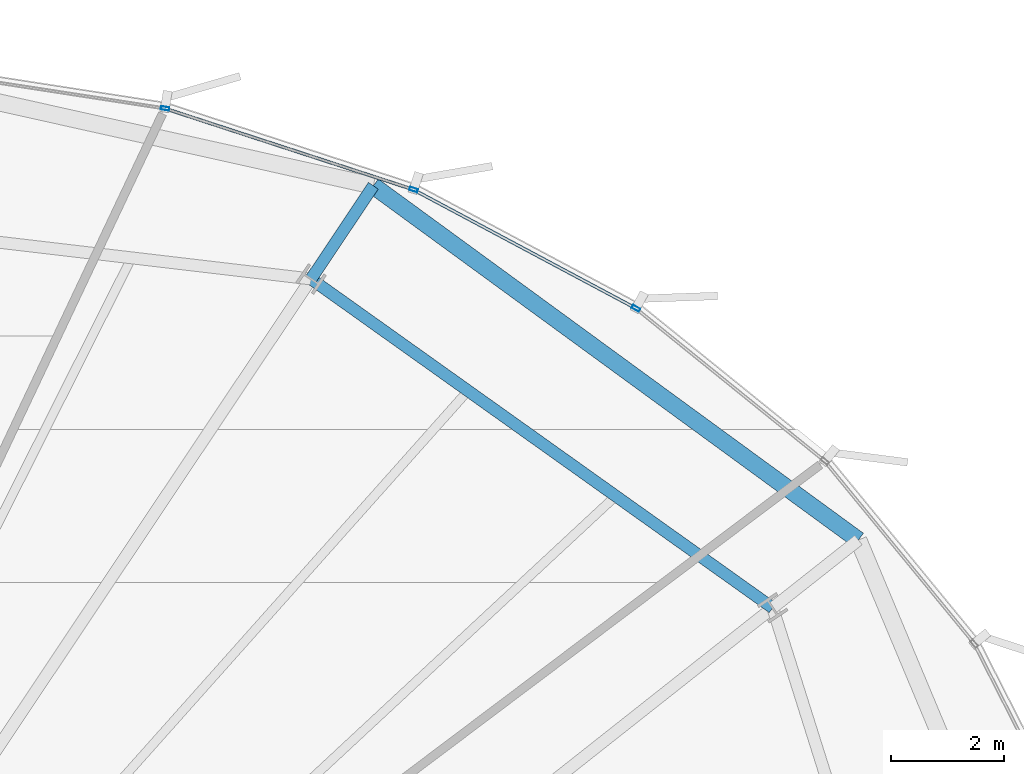
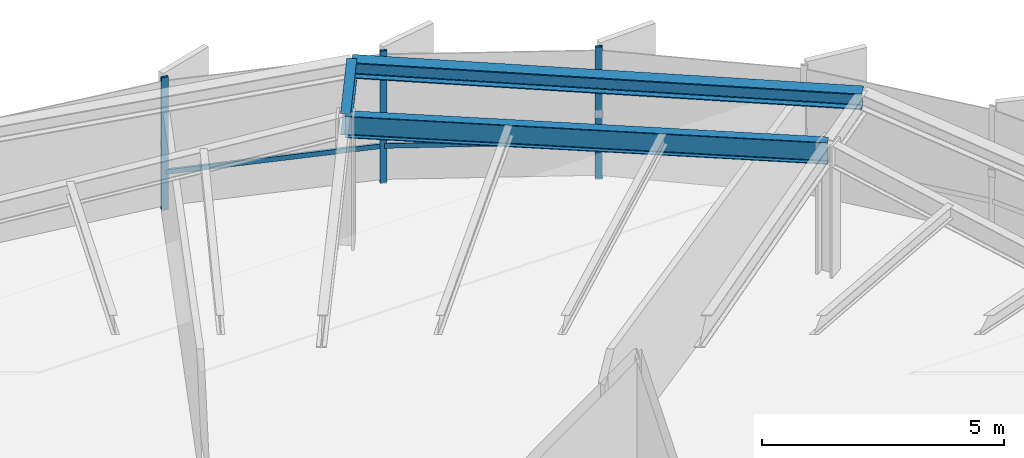
# One storey, part 23 of 33: 5 members, 3 beams, 1 element without a shape of its own.
"""IFC4 building model written with IfcOpenShell, lengths in metres."""

from ifc_helpers import new_model, si_unit, direction, frame, origin, origin_2d, place, context, subcontext, project, spatial, hollow_rectangle, i_section, extrude, source, transform, mapped, material, layer, layer_set, material_profile, profile_set, type_object, element, aggregate, save


model = new_model("IFC4")

# Units and contexts
model_context = context("Model", 3, precision=1e-05, world=origin(), true_north=direction((0.0, 1.0)))
body_context = subcontext(model_context, "Body", "Model", "MODEL_VIEW")
ifc_project = project(units=[si_unit("LENGTHUNIT", "METRE"), si_unit("AREAUNIT", "SQUARE_METRE"), si_unit("VOLUMEUNIT", "CUBIC_METRE"), si_unit("PLANEANGLEUNIT", "RADIAN"), si_unit("MASSUNIT", "GRAM", prefix="KILO"), si_unit("THERMODYNAMICTEMPERATUREUNIT", "KELVIN")], contexts=[model_context])

# Site, building, storey
site_placement = place(None, origin())
site = spatial("IfcSite", under=ifc_project, at=site_placement, CompositionType="ELEMENT")
building_placement = place(site_placement, origin())
building = spatial("IfcBuilding", under=site, at=building_placement, Name="Kethvar Cultural Tower", CompositionType="ELEMENT")
storey_placement = place(building_placement, frame((0.0, 0.0, 118.0)))
storey = spatial("IfcBuildingStorey", under=building, at=storey_placement, Name="L29", CompositionType="ELEMENT", Elevation=118.0)

# Beams
ifc_material_1 = material(Name="Steel S355J2", Category="steel")
ifc_material_profile_1 = material_profile(ifc_material_1, i_section(OverallWidth=0.2099609375, OverallDepth=0.550048828125, WebThickness=0.010986328125, FlangeThickness=0.01708984375, FilletRadius=0.02392578125, at=origin_2d()), Name="Steel S355J2 — IPE550")
ifc_profile_set_1 = profile_set([ifc_material_profile_1], Name="Steel S355J2 — IPE550")
beam_type_1 = type_object("IfcBeamType", Name="BM-IPE550", PredefinedType="BEAM", material=ifc_profile_set_1)
shared_shape_1 = source(origin(), body_context, "Body", "SweptSolid", [
    extrude(i_section(OverallWidth=0.2099609375, OverallDepth=0.550048828125, WebThickness=0.010986328125, FlangeThickness=0.01708984375, FilletRadius=0.02392578125, at=origin_2d()), origin(), (0.0, 0.0, 1.0), 10.0234375),
])
beam_1_placement = place(storey_placement, frame((68.568603515625, 42.34521484375, 3.072998046875), z_axis=(-0.814470106239, 0.580205520521, 0.0), x_axis=(-0.580205520521, -0.814470106239, 0.0)))
element("IfcBeam", 1, at=beam_1_placement, inside=storey, type_object=beam_type_1, Name="L29 Column Ring Tie Beam CR-02", PredefinedType="BEAM", context=body_context, shape_type="MappedRepresentation", body=[
    mapped(shared_shape_1, transform((0.0, 0.0, 0.0), scale=1.0)),
])
shared_shape_2 = source(origin(), body_context, "Body", "SweptSolid", [
    extrude(i_section(OverallWidth=0.2099609375, OverallDepth=0.550048828125, WebThickness=0.010986328125, FlangeThickness=0.01708984375, FilletRadius=0.02392578125, at=origin_2d()), origin(), (0.0, 0.0, 1.0), 1.981689453125),
])
beam_2_placement = place(storey_placement, frame((60.40478515625, 48.160888671875, 3.072998046875), z_axis=(0.555524439395, 0.8315002088, 0.0), x_axis=(-0.8315002088, 0.555524439395, 0.0)))
element("IfcBeam", 2, at=beam_2_placement, inside=storey, type_object=beam_type_1, Name="L29 Perimeter Cantilever Beam RC-03", PredefinedType="BEAM", context=body_context, shape_type="MappedRepresentation", body=[
    mapped(shared_shape_2, transform((0.0, 0.0, 0.0), scale=1.0)),
])
ifc_material_profile_2 = material_profile(ifc_material_1, i_section(OverallWidth=0.300048828125, OverallDepth=0.39990234375, WebThickness=0.013427734375, FlangeThickness=0.02392578125, FilletRadius=0.027099609375, at=origin_2d()), Name="Steel S355J2 — HEB400")
ifc_profile_set_2 = profile_set([ifc_material_profile_2], Name="Steel S355J2 — HEB400")
beam_type_2 = type_object("IfcBeamType", Name="BM-SP400", PredefinedType="SPANDREL", material=ifc_profile_set_2)
shared_shape_3 = source(origin(), body_context, "Body", "SweptSolid", [
    extrude(i_section(OverallWidth=0.300048828125, OverallDepth=0.39990234375, WebThickness=0.013427734375, FlangeThickness=0.02392578125, FilletRadius=0.027099609375, at=origin_2d()), origin(), (0.0, 0.0, 1.0), 10.623291015625),
])
beam_3_placement = place(storey_placement, frame((70.084716796875, 43.543212890625, 3.14794921875), z_axis=(-0.80756877649, 0.589773406689, 0.0), x_axis=(-0.589773406689, -0.80756877649, 0.0)))
element("IfcBeam", 3, at=beam_3_placement, inside=storey, type_object=beam_type_2, Name="L29 Perimeter Spandrel Beam SP-02", PredefinedType="SPANDREL", context=body_context, shape_type="MappedRepresentation", body=[
    mapped(shared_shape_3, transform((0.0, 0.0, 0.0), scale=1.0)),
])

# Curtain wall, members
ifc_material_2 = material(Name="Aluminium 6063-T6", Category="aluminium")
ifc_layer = layer(ifc_material_2, 0.179931640625, Name="Aluminium 6063-T6", Category="aluminium")
ifc_layer_set = layer_set([ifc_layer], Name="Aluminium 6063-T6 (180 mm)")
curtain_wall_type = type_object("IfcCurtainWallType", Name="CW-SYS-03-Z2", PredefinedType="NOTDEFINED", material=ifc_layer_set)
curtain_wall_placement = place(storey_placement, origin())
curtain_wall = element("IfcCurtainWall", 4, at=curtain_wall_placement, inside=storey, type_object=curtain_wall_type, Name="L29 Curtain Wall Run 01", PredefinedType="NOTDEFINED")
ifc_material_profile_3 = material_profile(ifc_material_2, hollow_rectangle(XDim=0.06005859375, YDim=0.14990234375, WallThickness=0.0048828125, at=origin_2d()), Name="Aluminium 6063-T6 — RHS150x60x5")
ifc_profile_set_3 = profile_set([ifc_material_profile_3], Name="Aluminium 6063-T6 — RHS150x60x5")
member_type_1 = type_object("IfcMemberType", Name="CW-SYS-03-Z2-MUL", PredefinedType="MULLION", material=ifc_profile_set_3)
shared_shape_4 = source(origin(), body_context, "Body", "SweptSolid", [
    extrude(hollow_rectangle(XDim=0.06005859375, YDim=0.14990234375, WallThickness=0.0048828125, at=origin_2d()), origin(), (0.0, 0.0, 1.0), 3.35009765625),
])
member_1_placement = place(storey_placement, frame((66.150390625, 47.64013671875, 0.0), z_axis=(0.0, 0.0, 1.0), x_axis=(-0.470703932165, -0.882291226435, 0.0)))
member_1 = element("IfcMember", 5, at=member_1_placement, type_object=member_type_1, Name="CW-L29-R01 Mullion 4", PredefinedType="MULLION", context=body_context, shape_type="MappedRepresentation", body=[
    mapped(shared_shape_4, transform((0.0, 0.0, 0.0), scale=1.0)),
])
member_2_placement = place(storey_placement, frame((62.2177734375, 49.740234375, 0.0), z_axis=(0.0, 0.0, 1.0), x_axis=(-0.310245067301, -0.950656614249, 0.0)))
member_2 = element("IfcMember", 6, at=member_2_placement, type_object=member_type_1, Name="CW-L29-R01 Mullion 5", PredefinedType="MULLION", context=body_context, shape_type="MappedRepresentation", body=[
    mapped(shared_shape_4, transform((0.0, 0.0, 0.0), scale=1.0)),
])
member_3_placement = place(storey_placement, frame((57.822021484375, 51.176513671875, 0.0), z_axis=(0.0, 0.0, 1.0), x_axis=(-0.152761610441, -0.988263067394, 0.0)))
member_3 = element("IfcMember", 7, at=member_3_placement, type_object=member_type_1, Name="CW-L29-R01 Mullion 6", PredefinedType="MULLION", context=body_context, shape_type="MappedRepresentation", body=[
    mapped(shared_shape_4, transform((0.0, 0.0, 0.0), scale=1.0)),
])
ifc_material_profile_4 = material_profile(ifc_material_2, hollow_rectangle(XDim=0.054931640625, YDim=0.1201171875, WallThickness=0.00390625, at=origin_2d()), Name="Aluminium 6063-T6 — RHS120x55x4")
ifc_profile_set_4 = profile_set([ifc_material_profile_4], Name="Aluminium 6063-T6 — RHS120x55x4")
member_type_2 = type_object("IfcMemberType", Name="CW-SYS-03-Z2-TRN", PredefinedType="USERDEFINED", material=ifc_profile_set_4)
shared_shape_5 = source(origin(), body_context, "Body", "SweptSolid", [
    extrude(hollow_rectangle(XDim=0.054931640625, YDim=0.1201171875, WallThickness=0.00390625, at=origin_2d()), origin(), (0.0, 0.0, 1.0), 4.3916015625),
])
member_4_placement = place(storey_placement, frame((66.1123046875, 47.66064453125, 0.949951171875), z_axis=(-0.882295996498, 0.470694991012, 0.0), x_axis=(-0.470694991012, -0.882295996498, 0.0)))
member_4 = element("IfcMember", 8, at=member_4_placement, type_object=member_type_2, Name="CW-L29-R01 Transom 4", ObjectType="TRANSOM", PredefinedType="USERDEFINED", context=body_context, shape_type="MappedRepresentation", body=[
    mapped(shared_shape_5, transform((0.0, 0.0, 0.0), scale=1.0)),
])
shared_shape_6 = source(origin(), body_context, "Body", "SweptSolid", [
    extrude(hollow_rectangle(XDim=0.054931640625, YDim=0.1201171875, WallThickness=0.00390625, at=origin_2d()), origin(), (0.0, 0.0, 1.0), 4.556640625),
])
member_5_placement = place(storey_placement, frame((62.1767578125, 49.753662109375, 0.949951171875), z_axis=(-0.950647068743, 0.310274315228, 0.0), x_axis=(-0.310274315228, -0.950647068743, 0.0)))
member_5 = element("IfcMember", 9, at=member_5_placement, type_object=member_type_2, Name="CW-L29-R01 Transom 5", ObjectType="TRANSOM", PredefinedType="USERDEFINED", context=body_context, shape_type="MappedRepresentation", body=[
    mapped(shared_shape_6, transform((0.0, 0.0, 0.0), scale=1.0)),
])
aggregate(curtain_wall, [member_1, member_2, member_3, member_4, member_5])

save(model, "model.ifc")
